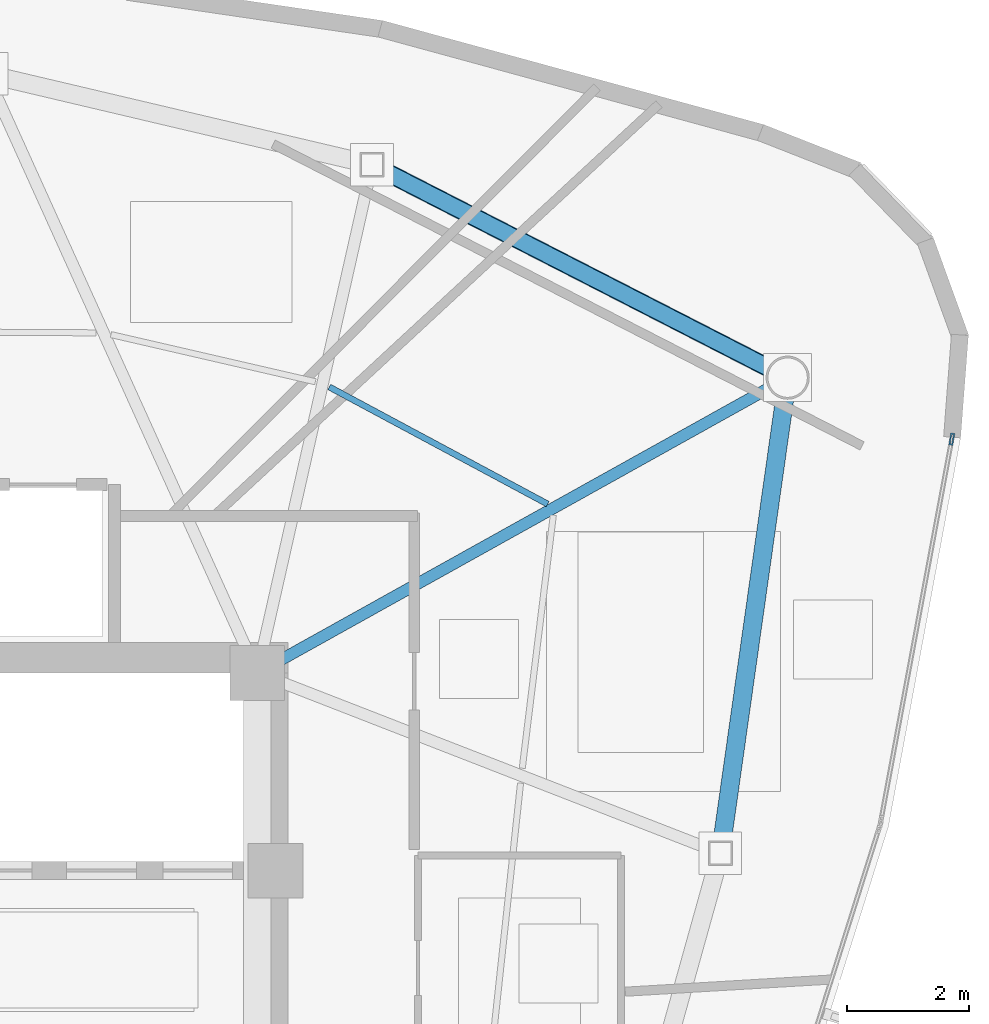
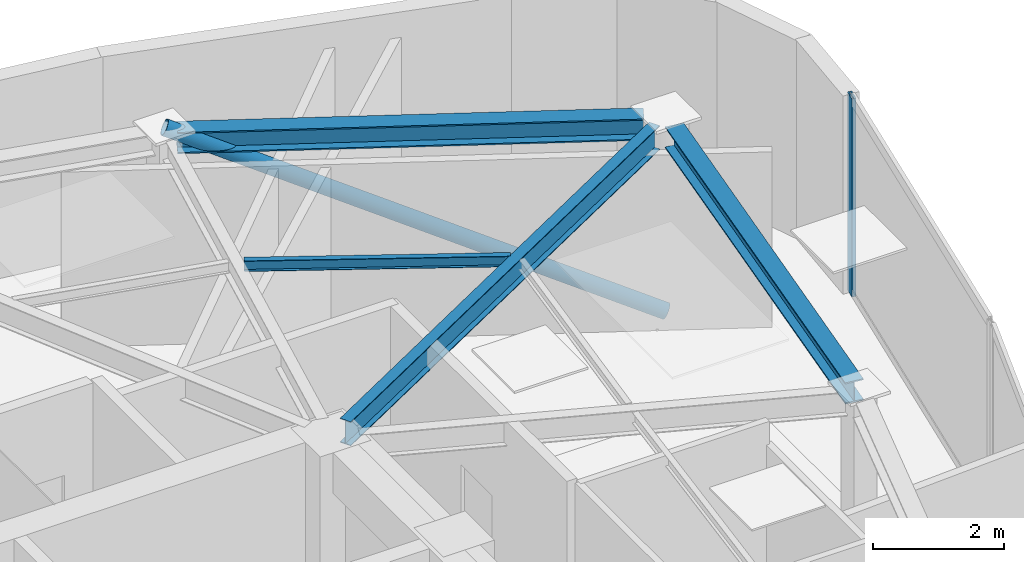
# One storey, part 6 of 13: 4 beams, 2 members, 1 element without a shape of its own.
"""IFC4 building model written with IfcOpenShell, lengths in metres."""

from ifc_helpers import new_model, si_unit, direction, frame, origin, origin_2d, place, context, subcontext, project, spatial, hollow_rectangle, hollow_circle, i_section, extrude, source, transform, mapped, material, layer, layer_set, material_profile, profile_set, type_object, type_shapes, element, aggregate, save


model = new_model("IFC4")

# Units and contexts
model_context = context("Model", 3, precision=1e-05, world=origin(), true_north=direction((0.0, 1.0)))
body_context = subcontext(model_context, "Body", "Model", "MODEL_VIEW")
ifc_project = project(units=[si_unit("LENGTHUNIT", "METRE"), si_unit("AREAUNIT", "SQUARE_METRE"), si_unit("VOLUMEUNIT", "CUBIC_METRE"), si_unit("PLANEANGLEUNIT", "RADIAN"), si_unit("MASSUNIT", "GRAM", prefix="KILO")], contexts=[model_context])

# Site, building, storey
site_placement = place(None, origin())
site = spatial("IfcSite", under=ifc_project, at=site_placement, CompositionType="ELEMENT")
building_placement = place(site_placement, origin())
building = spatial("IfcBuilding", under=site, at=building_placement, Name="Tavelor Broadcast Tower", CompositionType="ELEMENT")
storey_placement = place(building_placement, frame((0.0, 0.0, 305.5)))
storey = spatial("IfcBuildingStorey", under=building, at=storey_placement, Name="L73", CompositionType="ELEMENT", Elevation=305.5)

# Beams
ifc_material_1 = material(Name="Steel S355", Category="steel")
ifc_material_profile_1 = material_profile(ifc_material_1, i_section(OverallWidth=0.10009765625, OverallDepth=0.199951171875, WebThickness=0.005615234375, FlangeThickness=0.008544921875, at=origin_2d()), Name="IPE 200")
ifc_profile_set_1 = profile_set([ifc_material_profile_1], Name="Steel S355")
beam_type_1 = type_object("IfcBeamType", Name="Composite Floor Joist T8 IPE 200", PredefinedType="JOIST", material=ifc_profile_set_1)
beam_1_placement = place(storey_placement, frame((61.372802734375, 53.97705078125, 3.60009765625), z_axis=(-0.881270485995, 0.47261224118, 0.0), x_axis=(-0.47261224118, -0.881270485995, 0.0)))
element("IfcBeam", 1, at=beam_1_placement, inside=storey, type_object=beam_type_1, Name="L73 Secondary Composite Floor Joist 13", PredefinedType="JOIST", context=body_context, shape_type="SweptSolid", body=[
    extrude(i_section(OverallWidth=0.10009765625, OverallDepth=0.199951171875, WebThickness=0.005615234375, FlangeThickness=0.008544921875, at=origin_2d()), origin(), (0.0, 0.0, 1.0), 4.0732421875),
])
ifc_material_profile_2 = material_profile(ifc_material_1, i_section(OverallWidth=0.300048828125, OverallDepth=0.39990234375, WebThickness=0.013427734375, FlangeThickness=0.02392578125, at=origin_2d()), Name="HEB 400")
ifc_profile_set_2 = profile_set([ifc_material_profile_2], Name="Steel S355")
beam_type_2 = type_object("IfcBeamType", Name="Perimeter Spandrel Beam T8 HEB 400", PredefinedType="SPANDREL", material=ifc_profile_set_2)
beam_2_placement = place(storey_placement, frame((64.2412109375, 48.427490234375, 3.5), z_axis=(0.139963539529, 0.990156658111, 0.0), x_axis=(-0.990156658111, 0.139963539529, 0.0)))
element("IfcBeam", 2, at=beam_2_placement, inside=storey, type_object=beam_type_2, Name="L73 Framed-Tube Ring Spandrel 12", PredefinedType="SPANDREL", context=body_context, shape_type="SweptSolid", body=[
    extrude(i_section(OverallWidth=0.300048828125, OverallDepth=0.39990234375, WebThickness=0.013427734375, FlangeThickness=0.02392578125, at=origin_2d()), origin(), (0.0, 0.0, 1.0), 7.36279296875),
])
beam_3_placement = place(storey_placement, frame((65.015869140625, 56.211181640625, 3.5), z_axis=(-0.889983170291, 0.455993373415, 0.0), x_axis=(-0.455993373415, -0.889983170291, 0.0)))
element("IfcBeam", 3, at=beam_3_placement, inside=storey, type_object=beam_type_2, Name="L73 Framed-Tube Ring Spandrel 13", PredefinedType="SPANDREL", context=body_context, shape_type="SweptSolid", body=[
    extrude(i_section(OverallWidth=0.300048828125, OverallDepth=0.39990234375, WebThickness=0.013427734375, FlangeThickness=0.02392578125, at=origin_2d()), origin(), (0.0, 0.0, 1.0), 7.1455078125),
])

# Member
ifc_material_profile_3 = material_profile(ifc_material_1, hollow_circle(Radius=0.136474609375, WallThickness=0.012451171875, at=origin_2d()), Name="CHS 273x12.5")
ifc_profile_set_3 = profile_set([ifc_material_profile_3], Name="Steel S355")
member_type_1 = type_object("IfcMemberType", Name="Perimeter Tube Brace T8 CHS 273x12.5", PredefinedType="BRACE", material=ifc_profile_set_3)
member_1_placement = place(storey_placement, frame((65.319580078125, 56.0556640625, 0.0), z_axis=(-0.801763897696, 0.410792291396, 0.434078732123), x_axis=(-0.455992584505, -0.889983574498, 0.0)))
element("IfcMember", 4, at=member_1_placement, inside=storey, type_object=member_type_1, Name="L73 Corner Tube Diagonal Brace 3", PredefinedType="BRACE", context=body_context, shape_type="SweptSolid", body=[
    extrude(hollow_circle(Radius=0.136474609375, WallThickness=0.012451171875, at=origin_2d()), origin(), (0.0, 0.0, 1.0), 8.523681640625),
])

# Beam
ifc_material_profile_4 = material_profile(ifc_material_1, i_section(OverallWidth=0.18994140625, OverallDepth=0.449951171875, WebThickness=0.009521484375, FlangeThickness=0.0146484375, at=origin_2d()), Name="IPE 450")
ifc_profile_set_4 = profile_set([ifc_material_profile_4], Name="Steel S355")
beam_type_3 = type_object("IfcBeamType", Name="Radial Floor Girder T8 IPE 450", PredefinedType="BEAM", material=ifc_profile_set_4)
beam_4_placement = place(storey_placement, frame((56.977294921875, 51.41015625, 3.47509765625), z_axis=(0.87366652502, 0.486525233734, 0.0), x_axis=(-0.486525233734, 0.87366652502, 0.0)))
element("IfcBeam", 5, at=beam_4_placement, inside=storey, type_object=beam_type_3, Name="L73 Radial Primary Floor Girder 13", PredefinedType="BEAM", context=body_context, shape_type="SweptSolid", body=[
    extrude(i_section(OverallWidth=0.18994140625, OverallDepth=0.449951171875, WebThickness=0.009521484375, FlangeThickness=0.0146484375, at=origin_2d()), origin(), (0.0, 0.0, 1.0), 9.20703125),
])

# Curtain wall, member
ifc_material_2 = material(Name="Architectural Anodized Aluminium", Category="aluminium")
ifc_layer = layer(ifc_material_2, 0.199951171875)
ifc_layer_set = layer_set([ifc_layer], Name="Architectural Anodized Aluminium")
curtain_wall_type = type_object("IfcCurtainWallType", Name="Tower High-Zone Triple-Glazed Curtain Wall CW04", PredefinedType="NOTDEFINED", material=ifc_layer_set)
curtain_wall_placement = place(storey_placement, origin())
curtain_wall = element("IfcCurtainWall", 6, at=curtain_wall_placement, inside=storey, type_object=curtain_wall_type, Name="L73 Curtain Wall CW04 Run 812", PredefinedType="NOTDEFINED")
ifc_material_profile_5 = material_profile(ifc_material_2, hollow_rectangle(XDim=0.070068359375, YDim=0.199951171875, WallThickness=0.02197265625, at=origin_2d()), Name="RHS 70x200x22")
ifc_profile_set_5 = profile_set([ifc_material_profile_5], Name="Architectural Anodized Aluminium")
member_type_2 = type_object("IfcMemberType", Name="CW04 Extruded Aluminium Mullion 70x200", PredefinedType="MULLION", material=ifc_profile_set_5)
shared_shape = source(origin(), body_context, "Body", "SweptSolid", [
    extrude(hollow_rectangle(XDim=0.070068359375, YDim=0.199951171875, WallThickness=0.02197265625, at=origin_2d()), origin(), (0.0, 0.0, 1.0), 3.699951171875),
])
type_shapes(member_type_2, [shared_shape])
member_2_placement = place(storey_placement, frame((68.018310546875, 55.04541015625, 0.0), z_axis=(0.0, 0.0, 1.0), x_axis=(-0.983176518023, 0.182657971102, 0.0)))
member_2 = element("IfcMember", 7, at=member_2_placement, type_object=member_type_2, Name="CW04 mullion 2", PredefinedType="MULLION", context=body_context, shape_type="MappedRepresentation", body=[
    mapped(shared_shape, transform((0.0, 0.0, 0.0), scale=1.0)),
])
aggregate(curtain_wall, [member_2])

save(model, "model.ifc")
